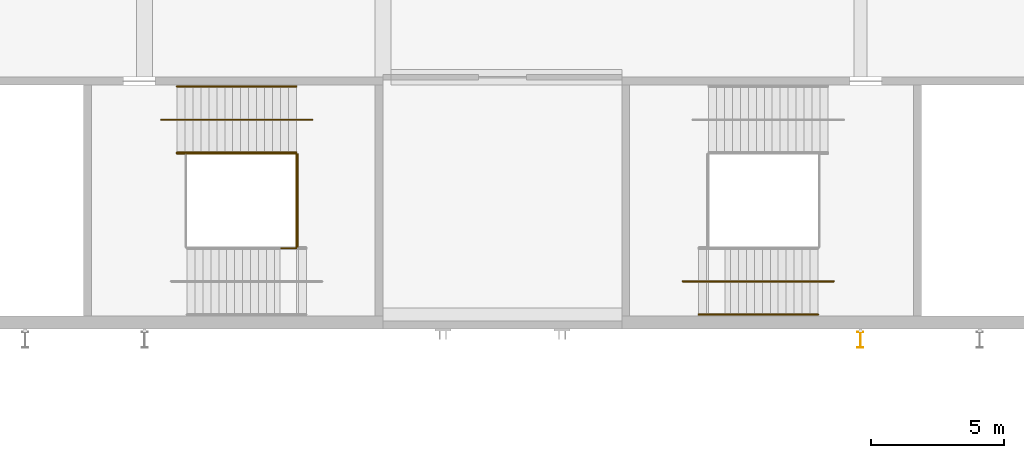
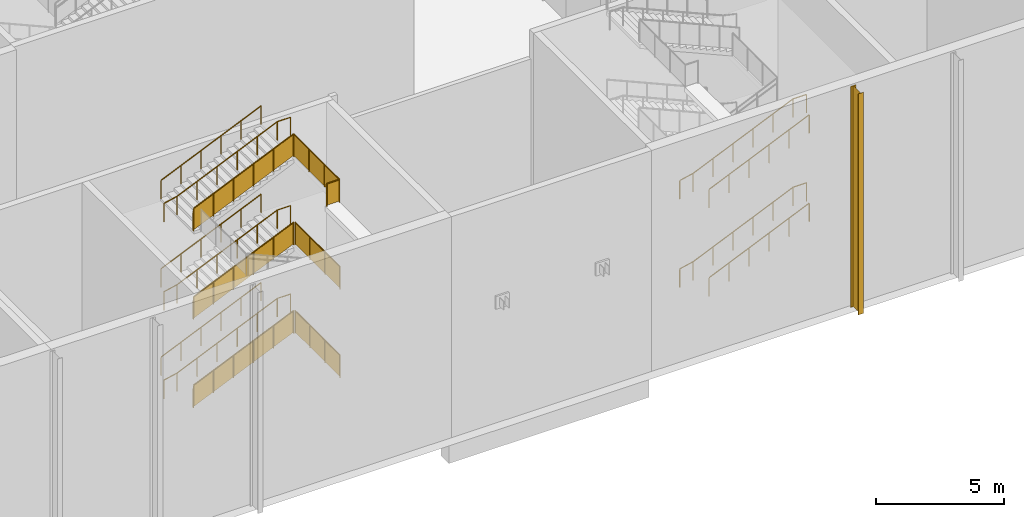
# One storey, part 157 of 182: 19 railings, 1 shading device.
"""IFC4 building model written with IfcOpenShell, lengths in metres."""

from ifc_helpers import new_model, si_unit, direction, frame, origin, origin_2d, place, context, subcontext, project, spatial, polyline, circle, i_section, outline, extrude, material, material_profile, profile_set, type_object, element, save


model = new_model("IFC4")

# Units and contexts
model_context = context("Model", 3, precision=1e-05, world=origin(), true_north=direction((0.0, 1.0)))
body_context = subcontext(model_context, "Body", "Model", "MODEL_VIEW")
ifc_project = project(units=[si_unit("LENGTHUNIT", "METRE"), si_unit("AREAUNIT", "SQUARE_METRE"), si_unit("VOLUMEUNIT", "CUBIC_METRE"), si_unit("PLANEANGLEUNIT", "RADIAN"), si_unit("MASSUNIT", "GRAM", prefix="KILO")], contexts=[model_context])

# Site, building, storey
site_placement = place(None, origin())
site = spatial("IfcSite", under=ifc_project, at=site_placement, CompositionType="ELEMENT")
building_placement = place(site_placement, origin())
building = spatial("IfcBuilding", under=site, at=building_placement, Name="Silverbay Arena", CompositionType="ELEMENT")
storey_placement = place(building_placement, frame((0.0, 0.0, 11.5)))
storey = spatial("IfcBuildingStorey", under=building, at=storey_placement, Name="L02", CompositionType="ELEMENT", Elevation=11.5)

# Railings
ifc_material_1 = material(Name="Stainless steel", Category="steel")
railing_type_1 = type_object("IfcRailingType", Name="Stair guard 1100", PredefinedType="GUARDRAIL", material=ifc_material_1)
railing_1_placement = place(storey_placement, frame((172.225830078125, 24.125, 0.13134765625)))
element("IfcRailing", 1, at=railing_1_placement, inside=storey, type_object=railing_type_1, Name="Stair ST-S4 L02 to L03 flight 1 guard right", PredefinedType="GUARDRAIL", context=body_context, shape_type="SweptSolid", body=[
    extrude(circle(Radius=0.02392578125, at=origin_2d()), frame((0.0, 0.0, 1.076171875), z_axis=(0.916157334902, 0.0, 0.40081883402), x_axis=(0.0, 1.0, 0.0)), (0.0, 0.0, 1.0), 4.911865234375),
    extrude(outline(polyline([(-0.008056640625, 0.04638671875), (0.907958984375, 0.447265625), (0.907958984375, 1.4501953125), (-0.008056640625, 1.049560546875), (-0.008056640625, 0.04638671875)])), frame((0.0, 0.0029296875, 0.0), z_axis=(0.0, -1.0, 0.0), x_axis=(1.0, 0.0, 0.0)), (0.0, 0.0, 1.0), 0.006103515625),
    extrude(outline(polyline([(-0.008056640625, 0.440185546875), (0.907958984375, 0.841064453125), (0.907958984375, 1.843994140625), (-0.008056640625, 1.443359375), (-0.008056640625, 0.440185546875)])), frame((0.89990234375, 0.0029296875, 0.0), z_axis=(0.0, -1.0, 0.0), x_axis=(1.0, 0.0, 0.0)), (0.0, 0.0, 1.0), 0.006103515625),
    extrude(outline(polyline([(-0.008056640625, 0.833984375), (0.907958984375, 1.23486328125), (0.907958984375, 2.23779296875), (-0.008056640625, 1.8369140625), (-0.008056640625, 0.833984375)])), frame((1.800048828125, 0.0029296875, 0.0), z_axis=(0.0, -1.0, 0.0), x_axis=(1.0, 0.0, 0.0)), (0.0, 0.0, 1.0), 0.006103515625),
    extrude(outline(polyline([(-0.008056640625, 1.227783203125), (0.907958984375, 1.62841796875), (0.907958984375, 2.631591796875), (-0.008056640625, 2.230712890625), (-0.008056640625, 1.227783203125)])), frame((2.699951171875, 0.0029296875, 0.0), z_axis=(0.0, -1.0, 0.0), x_axis=(1.0, 0.0, 0.0)), (0.0, 0.0, 1.0), 0.006103515625),
    extrude(outline(polyline([(-0.008056640625, 1.62158203125), (0.907958984375, 2.022216796875), (0.907958984375, 3.025146484375), (-0.008056640625, 2.62451171875), (-0.008056640625, 1.62158203125)])), frame((3.60009765625, 0.0029296875, 0.0), z_axis=(0.0, -1.0, 0.0), x_axis=(1.0, 0.0, 0.0)), (0.0, 0.0, 1.0), 0.006103515625),
    extrude(circle(Radius=0.02099609375, at=origin_2d()), origin(), (0.0, 0.0, 1.0), 1.052001953125),
    extrude(circle(Radius=0.02099609375, at=origin_2d()), frame((0.89990234375, 0.0, 0.393798828125)), (0.0, 0.0, 1.0), 1.052001953125),
    extrude(circle(Radius=0.02099609375, at=origin_2d()), frame((1.800048828125, 0.0, 0.78759765625)), (0.0, 0.0, 1.0), 1.052001953125),
    extrude(circle(Radius=0.02099609375, at=origin_2d()), frame((2.699951171875, 0.0, 1.18115234375)), (0.0, 0.0, 1.0), 1.052001953125),
    extrude(circle(Radius=0.02099609375, at=origin_2d()), frame((3.60009765625, 0.0, 1.574951171875)), (0.0, 0.0, 1.0), 1.052001953125),
    extrude(circle(Radius=0.02099609375, at=origin_2d()), frame((4.5, 0.0, 1.96875)), (0.0, 0.0, 1.0), 1.052001953125),
])
railing_2_placement = place(storey_placement, frame((172.225830078125, 24.125, 4.331298828125)))
element("IfcRailing", 2, at=railing_2_placement, inside=storey, type_object=railing_type_1, Name="Stair ST-S4 L02 to L03 flight 3 guard right", PredefinedType="GUARDRAIL", context=body_context, shape_type="SweptSolid", body=[
    extrude(circle(Radius=0.02392578125, at=origin_2d()), frame((0.0, 0.0, 1.076171875), z_axis=(0.916157334902, 0.0, 0.40081883402), x_axis=(0.0, 1.0, 0.0)), (0.0, 0.0, 1.0), 4.911865234375),
    extrude(outline(polyline([(-0.008056640625, 0.04638671875), (0.907958984375, 0.447265625), (0.907958984375, 1.4501953125), (-0.008056640625, 1.049560546875), (-0.008056640625, 0.04638671875)])), frame((0.0, 0.0029296875, 0.0), z_axis=(0.0, -1.0, 0.0), x_axis=(1.0, 0.0, 0.0)), (0.0, 0.0, 1.0), 0.006103515625),
    extrude(outline(polyline([(-0.008056640625, 0.440185546875), (0.907958984375, 0.841064453125), (0.907958984375, 1.843994140625), (-0.008056640625, 1.443359375), (-0.008056640625, 0.440185546875)])), frame((0.89990234375, 0.0029296875, 0.0), z_axis=(0.0, -1.0, 0.0), x_axis=(1.0, 0.0, 0.0)), (0.0, 0.0, 1.0), 0.006103515625),
    extrude(outline(polyline([(-0.008056640625, 0.833984375), (0.907958984375, 1.23486328125), (0.907958984375, 2.23779296875), (-0.008056640625, 1.8369140625), (-0.008056640625, 0.833984375)])), frame((1.800048828125, 0.0029296875, 0.0), z_axis=(0.0, -1.0, 0.0), x_axis=(1.0, 0.0, 0.0)), (0.0, 0.0, 1.0), 0.006103515625),
    extrude(outline(polyline([(-0.008056640625, 1.227783203125), (0.907958984375, 1.62841796875), (0.907958984375, 2.631591796875), (-0.008056640625, 2.230712890625), (-0.008056640625, 1.227783203125)])), frame((2.699951171875, 0.0029296875, 0.0), z_axis=(0.0, -1.0, 0.0), x_axis=(1.0, 0.0, 0.0)), (0.0, 0.0, 1.0), 0.006103515625),
    extrude(outline(polyline([(-0.008056640625, 1.62158203125), (0.907958984375, 2.022216796875), (0.907958984375, 3.025146484375), (-0.008056640625, 2.62451171875), (-0.008056640625, 1.62158203125)])), frame((3.60009765625, 0.0029296875, 0.0), z_axis=(0.0, -1.0, 0.0), x_axis=(1.0, 0.0, 0.0)), (0.0, 0.0, 1.0), 0.006103515625),
    extrude(circle(Radius=0.02099609375, at=origin_2d()), origin(), (0.0, 0.0, 1.0), 1.052001953125),
    extrude(circle(Radius=0.02099609375, at=origin_2d()), frame((0.89990234375, 0.0, 0.393798828125)), (0.0, 0.0, 1.0), 1.052001953125),
    extrude(circle(Radius=0.02099609375, at=origin_2d()), frame((1.800048828125, 0.0, 0.78759765625)), (0.0, 0.0, 1.0), 1.052001953125),
    extrude(circle(Radius=0.02099609375, at=origin_2d()), frame((2.699951171875, 0.0, 1.18115234375)), (0.0, 0.0, 1.0), 1.052001953125),
    extrude(circle(Radius=0.02099609375, at=origin_2d()), frame((3.60009765625, 0.0, 1.574951171875)), (0.0, 0.0, 1.0), 1.052001953125),
    extrude(circle(Radius=0.02099609375, at=origin_2d()), frame((4.5, 0.0, 1.96875)), (0.0, 0.0, 1.0), 1.052001953125),
])
railing_3_placement = place(storey_placement, frame((172.225830078125, 24.125, 8.53125)))
element("IfcRailing", 3, at=railing_3_placement, inside=storey, type_object=railing_type_1, Name="Stair ST-S4 L02 to L03 flight 5 guard right", PredefinedType="GUARDRAIL", context=body_context, shape_type="SweptSolid", body=[
    extrude(circle(Radius=0.02392578125, at=origin_2d()), frame((0.0, 0.0, 1.076171875), z_axis=(0.916157334902, 0.0, 0.40081883402), x_axis=(0.0, 1.0, 0.0)), (0.0, 0.0, 1.0), 4.911865234375),
    extrude(outline(polyline([(-0.008056640625, 0.04638671875), (0.907958984375, 0.447265625), (0.907958984375, 1.4501953125), (-0.008056640625, 1.049560546875), (-0.008056640625, 0.04638671875)])), frame((0.0, 0.0029296875, 0.0), z_axis=(0.0, -1.0, 0.0), x_axis=(1.0, 0.0, 0.0)), (0.0, 0.0, 1.0), 0.006103515625),
    extrude(outline(polyline([(-0.008056640625, 0.440185546875), (0.907958984375, 0.841064453125), (0.907958984375, 1.843994140625), (-0.008056640625, 1.443359375), (-0.008056640625, 0.440185546875)])), frame((0.89990234375, 0.0029296875, 0.0), z_axis=(0.0, -1.0, 0.0), x_axis=(1.0, 0.0, 0.0)), (0.0, 0.0, 1.0), 0.006103515625),
    extrude(outline(polyline([(-0.008056640625, 0.833984375), (0.907958984375, 1.23486328125), (0.907958984375, 2.23779296875), (-0.008056640625, 1.8369140625), (-0.008056640625, 0.833984375)])), frame((1.800048828125, 0.0029296875, 0.0), z_axis=(0.0, -1.0, 0.0), x_axis=(1.0, 0.0, 0.0)), (0.0, 0.0, 1.0), 0.006103515625),
    extrude(outline(polyline([(-0.008056640625, 1.227783203125), (0.907958984375, 1.62841796875), (0.907958984375, 2.631591796875), (-0.008056640625, 2.230712890625), (-0.008056640625, 1.227783203125)])), frame((2.699951171875, 0.0029296875, 0.0), z_axis=(0.0, -1.0, 0.0), x_axis=(1.0, 0.0, 0.0)), (0.0, 0.0, 1.0), 0.006103515625),
    extrude(outline(polyline([(-0.008056640625, 1.62158203125), (0.907958984375, 2.022216796875), (0.907958984375, 3.025146484375), (-0.008056640625, 2.62451171875), (-0.008056640625, 1.62158203125)])), frame((3.60009765625, 0.0029296875, 0.0), z_axis=(0.0, -1.0, 0.0), x_axis=(1.0, 0.0, 0.0)), (0.0, 0.0, 1.0), 0.006103515625),
    extrude(circle(Radius=0.02099609375, at=origin_2d()), origin(), (0.0, 0.0, 1.0), 1.052001953125),
    extrude(circle(Radius=0.02099609375, at=origin_2d()), frame((0.89990234375, 0.0, 0.393798828125)), (0.0, 0.0, 1.0), 1.052001953125),
    extrude(circle(Radius=0.02099609375, at=origin_2d()), frame((1.800048828125, 0.0, 0.78759765625)), (0.0, 0.0, 1.0), 1.052001953125),
    extrude(circle(Radius=0.02099609375, at=origin_2d()), frame((2.699951171875, 0.0, 1.18115234375)), (0.0, 0.0, 1.0), 1.052001953125),
    extrude(circle(Radius=0.02099609375, at=origin_2d()), frame((3.60009765625, 0.0, 1.574951171875)), (0.0, 0.0, 1.0), 1.052001953125),
    extrude(circle(Radius=0.02099609375, at=origin_2d()), frame((4.5, 0.0, 1.96875)), (0.0, 0.0, 1.0), 1.052001953125),
])
for number, where, name in (
    (4, (176.77587890625, 24.10009765625, 2.10009765625), "Stair ST-S4 L02 to L03 landing 1 guard"),
    (5, (176.77587890625, 24.10009765625, 6.300048828125), "Stair ST-S4 L02 to L03 landing 3 guard"),
):
    element("IfcRailing", number, at=place(storey_placement, frame(where)), inside=storey, type_object=railing_type_1, Name=name, PredefinedType="GUARDRAIL", context=body_context, shape_type="SweptSolid", body=[
        extrude(circle(Radius=0.02392578125, at=origin_2d()), frame((0.0, 0.0, 1.076171875), z_axis=(0.0, -1.0, 0.0), x_axis=(1.0, 0.0, 0.0)), (0.0, 0.0, 1.0), 3.5),
        extrude(outline(polyline([(-0.008056640625, 0.050048828125), (1.174560546875, 0.050048828125), (1.174560546875, 1.052978515625), (-0.008056640625, 1.052978515625), (-0.008056640625, 0.050048828125)])), frame((0.0029296875, 0.0, 0.0), z_axis=(-1.0, 0.0, 0.0), x_axis=(0.0, -1.0, 0.0)), (0.0, 0.0, 1.0), 0.006103515625),
        extrude(outline(polyline([(-0.008056640625, 0.050048828125), (1.174560546875, 0.050048828125), (1.174560546875, 1.052978515625), (-0.008056640625, 1.052978515625), (-0.008056640625, 0.050048828125)])), frame((0.0029296875, -1.166748046875, 0.0), z_axis=(-1.0, 0.0, 0.0), x_axis=(0.0, -1.0, 0.0)), (0.0, 0.0, 1.0), 0.006103515625),
        extrude(outline(polyline([(-0.008056640625, 0.050048828125), (1.174560546875, 0.050048828125), (1.174560546875, 1.052978515625), (-0.008056640625, 1.052978515625), (-0.008056640625, 0.050048828125)])), frame((0.0029296875, -2.333251953125, 0.0), z_axis=(-1.0, 0.0, 0.0), x_axis=(0.0, -1.0, 0.0)), (0.0, 0.0, 1.0), 0.006103515625),
        extrude(circle(Radius=0.02099609375, at=origin_2d()), origin(), (0.0, 0.0, 1.0), 1.052001953125),
        extrude(circle(Radius=0.02099609375, at=origin_2d()), frame((0.0, -1.166748046875, 0.0)), (0.0, 0.0, 1.0), 1.052001953125),
        extrude(circle(Radius=0.02099609375, at=origin_2d()), frame((0.0, -2.333251953125, 0.0)), (0.0, 0.0, 1.0), 1.052001953125),
        extrude(circle(Radius=0.02099609375, at=origin_2d()), frame((0.0, -3.5, 0.0)), (0.0, 0.0, 1.0), 1.052001953125),
    ])
railing_4_placement = place(storey_placement, frame((176.14990234375, 20.550048828125, 10.5)))
element("IfcRailing", 6, at=railing_4_placement, inside=storey, type_object=railing_type_1, Name="Stair ST-S4 L02 to L03 landing 5 guard", PredefinedType="GUARDRAIL", context=body_context, shape_type="SweptSolid", body=[
    extrude(circle(Radius=0.02392578125, at=origin_2d()), frame((0.0, 0.0, 1.076171875), z_axis=(1.0, 0.0, 0.0), x_axis=(0.0, 1.0, 0.0)), (0.0, 0.0, 1.0), 0.575927734375),
    extrude(outline(polyline([(-0.008056640625, 0.050048828125), (0.583984375, 0.050048828125), (0.583984375, 1.052978515625), (-0.008056640625, 1.052978515625), (-0.008056640625, 0.050048828125)])), frame((0.0, 0.0029296875, 0.0), z_axis=(0.0, -1.0, 0.0), x_axis=(1.0, 0.0, 0.0)), (0.0, 0.0, 1.0), 0.006103515625),
    extrude(circle(Radius=0.02392578125, at=origin_2d()), frame((0.575927734375, 0.0, 1.076171875), z_axis=(0.0, 1.0, 0.0), x_axis=(-1.0, 0.0, 0.0)), (0.0, 0.0, 1.0), 3.550048828125),
    extrude(outline(polyline([(-0.008056640625, 0.050048828125), (1.19140625, 0.050048828125), (1.19140625, 1.052978515625), (-0.008056640625, 1.052978515625), (-0.008056640625, 0.050048828125)])), frame((0.572998046875, 0.0, 0.0), z_axis=(1.0, 0.0, 0.0), x_axis=(0.0, 1.0, 0.0)), (0.0, 0.0, 1.0), 0.006103515625),
    extrude(outline(polyline([(-0.008056640625, 0.050048828125), (1.19140625, 0.050048828125), (1.19140625, 1.052978515625), (-0.008056640625, 1.052978515625), (-0.008056640625, 0.050048828125)])), frame((0.572998046875, 1.183349609375, 0.0), z_axis=(1.0, 0.0, 0.0), x_axis=(0.0, 1.0, 0.0)), (0.0, 0.0, 1.0), 0.006103515625),
    extrude(outline(polyline([(-0.008056640625, 0.050048828125), (1.19140625, 0.050048828125), (1.19140625, 1.052978515625), (-0.008056640625, 1.052978515625), (-0.008056640625, 0.050048828125)])), frame((0.572998046875, 2.36669921875, 0.0), z_axis=(1.0, 0.0, 0.0), x_axis=(0.0, 1.0, 0.0)), (0.0, 0.0, 1.0), 0.006103515625),
    extrude(circle(Radius=0.02099609375, at=origin_2d()), origin(), (0.0, 0.0, 1.0), 1.052001953125),
    extrude(circle(Radius=0.02099609375, at=origin_2d()), frame((0.575927734375, 0.0, 0.0)), (0.0, 0.0, 1.0), 1.052001953125),
    extrude(circle(Radius=0.02099609375, at=origin_2d()), frame((0.575927734375, 1.183349609375, 0.0)), (0.0, 0.0, 1.0), 1.052001953125),
    extrude(circle(Radius=0.02099609375, at=origin_2d()), frame((0.575927734375, 2.36669921875, 0.0)), (0.0, 0.0, 1.0), 1.052001953125),
    extrude(circle(Radius=0.02099609375, at=origin_2d()), frame((0.575927734375, 3.550048828125, 0.0)), (0.0, 0.0, 1.0), 1.052001953125),
])
ifc_material_2 = material(Name="Stainless steel", Category="steel")
railing_type_2 = type_object("IfcRailingType", Name="Stair handrail 900", PredefinedType="HANDRAIL", material=ifc_material_2)
for number, where, name in (
    (7, (172.225830078125, 26.64990234375, 0.13134765625), "Stair ST-S4 L02 to L03 flight 1 handrail left"),
    (8, (172.225830078125, 24.1640625, 0.13134765625), "Stair ST-S4 L02 to L03 flight 1 handrail right"),
):
    element("IfcRailing", number, at=place(storey_placement, frame(where)), inside=storey, type_object=railing_type_2, Name=name, PredefinedType="HANDRAIL", context=body_context, shape_type="SweptSolid", body=[
        extrude(circle(Radius=0.02392578125, at=origin_2d()), frame((0.0, 0.0, 0.8759765625), z_axis=(0.916157334902, 0.0, 0.40081883402), x_axis=(0.0, 1.0, 0.0)), (0.0, 0.0, 1.0), 4.911865234375),
        extrude(circle(Radius=0.02099609375, at=origin_2d()), origin(), (0.0, 0.0, 1.0), 0.851806640625),
        extrude(circle(Radius=0.02099609375, at=origin_2d()), frame((0.89990234375, 0.0, 0.393798828125)), (0.0, 0.0, 1.0), 0.851806640625),
        extrude(circle(Radius=0.02099609375, at=origin_2d()), frame((1.800048828125, 0.0, 0.78759765625)), (0.0, 0.0, 1.0), 0.851806640625),
        extrude(circle(Radius=0.02099609375, at=origin_2d()), frame((2.699951171875, 0.0, 1.18115234375)), (0.0, 0.0, 1.0), 0.851806640625),
        extrude(circle(Radius=0.02099609375, at=origin_2d()), frame((3.60009765625, 0.0, 1.574951171875)), (0.0, 0.0, 1.0), 0.851806640625),
        extrude(circle(Radius=0.02099609375, at=origin_2d()), frame((4.5, 0.0, 1.96875)), (0.0, 0.0, 1.0), 0.851806640625),
    ])
railing_5_placement = place(storey_placement, frame((171.625732421875, 25.39990234375, 0.0)))
element("IfcRailing", 9, at=railing_5_placement, inside=storey, type_object=railing_type_2, Name="Stair ST-S4 L02 to L03 flight 1 central handrail", PredefinedType="HANDRAIL", context=body_context, shape_type="SweptSolid", body=[
    extrude(circle(Radius=0.02392578125, at=origin_2d()), frame((0.0, 0.0, 0.8759765625), z_axis=(0.976874083041, 0.0, 0.213815401414), x_axis=(0.0, 1.0, 0.0)), (0.0, 0.0, 1.0), 0.6142578125),
    extrude(circle(Radius=0.02392578125, at=origin_2d()), frame((0.60009765625, 0.0, 1.00732421875), z_axis=(0.916157334902, 0.0, 0.40081883402), x_axis=(0.0, 1.0, 0.0)), (0.0, 0.0, 1.0), 4.911865234375),
    extrude(circle(Radius=0.02392578125, at=origin_2d()), frame((5.10009765625, 0.0, 2.97607421875), z_axis=(1.0, 0.0, 0.0), x_axis=(0.0, 1.0, 0.0)), (0.0, 0.0, 1.0), 0.599853515625),
    extrude(circle(Radius=0.02099609375, at=origin_2d()), origin(), (0.0, 0.0, 1.0), 0.851806640625),
    extrude(circle(Radius=0.02099609375, at=origin_2d()), frame((0.60009765625, 0.0, 0.13134765625)), (0.0, 0.0, 1.0), 0.851806640625),
    extrude(circle(Radius=0.02099609375, at=origin_2d()), frame((1.5, 0.0, 0.525146484375)), (0.0, 0.0, 1.0), 0.851806640625),
    extrude(circle(Radius=0.02099609375, at=origin_2d()), frame((2.400146484375, 0.0, 0.9189453125)), (0.0, 0.0, 1.0), 0.851806640625),
    extrude(circle(Radius=0.02099609375, at=origin_2d()), frame((3.300048828125, 0.0, 1.3125)), (0.0, 0.0, 1.0), 0.851806640625),
    extrude(circle(Radius=0.02099609375, at=origin_2d()), frame((4.2001953125, 0.0, 1.706298828125)), (0.0, 0.0, 1.0), 0.851806640625),
    extrude(circle(Radius=0.02099609375, at=origin_2d()), frame((5.10009765625, 0.0, 2.10009765625)), (0.0, 0.0, 1.0), 0.851806640625),
    extrude(circle(Radius=0.02099609375, at=origin_2d()), frame((5.699951171875, 0.0, 2.10009765625)), (0.0, 0.0, 1.0), 0.851806640625),
])
for number, where, name in (
    (10, (172.225830078125, 26.64990234375, 4.331298828125), "Stair ST-S4 L02 to L03 flight 3 handrail left"),
    (11, (172.225830078125, 24.1640625, 4.331298828125), "Stair ST-S4 L02 to L03 flight 3 handrail right"),
):
    element("IfcRailing", number, at=place(storey_placement, frame(where)), inside=storey, type_object=railing_type_2, Name=name, PredefinedType="HANDRAIL", context=body_context, shape_type="SweptSolid", body=[
        extrude(circle(Radius=0.02392578125, at=origin_2d()), frame((0.0, 0.0, 0.8759765625), z_axis=(0.916157334902, 0.0, 0.40081883402), x_axis=(0.0, 1.0, 0.0)), (0.0, 0.0, 1.0), 4.911865234375),
        extrude(circle(Radius=0.02099609375, at=origin_2d()), origin(), (0.0, 0.0, 1.0), 0.851806640625),
        extrude(circle(Radius=0.02099609375, at=origin_2d()), frame((0.89990234375, 0.0, 0.393798828125)), (0.0, 0.0, 1.0), 0.851806640625),
        extrude(circle(Radius=0.02099609375, at=origin_2d()), frame((1.800048828125, 0.0, 0.78759765625)), (0.0, 0.0, 1.0), 0.851806640625),
        extrude(circle(Radius=0.02099609375, at=origin_2d()), frame((2.699951171875, 0.0, 1.18115234375)), (0.0, 0.0, 1.0), 0.851806640625),
        extrude(circle(Radius=0.02099609375, at=origin_2d()), frame((3.60009765625, 0.0, 1.574951171875)), (0.0, 0.0, 1.0), 0.851806640625),
        extrude(circle(Radius=0.02099609375, at=origin_2d()), frame((4.5, 0.0, 1.96875)), (0.0, 0.0, 1.0), 0.851806640625),
    ])
railing_6_placement = place(storey_placement, frame((171.625732421875, 25.39990234375, 4.199951171875)))
element("IfcRailing", 12, at=railing_6_placement, inside=storey, type_object=railing_type_2, Name="Stair ST-S4 L02 to L03 flight 3 central handrail", PredefinedType="HANDRAIL", context=body_context, shape_type="SweptSolid", body=[
    extrude(circle(Radius=0.02392578125, at=origin_2d()), frame((0.0, 0.0, 0.8759765625), z_axis=(0.976874083041, 0.0, 0.213815401414), x_axis=(0.0, 1.0, 0.0)), (0.0, 0.0, 1.0), 0.6142578125),
    extrude(circle(Radius=0.02392578125, at=origin_2d()), frame((0.60009765625, 0.0, 1.00732421875), z_axis=(0.916157334902, 0.0, 0.40081883402), x_axis=(0.0, 1.0, 0.0)), (0.0, 0.0, 1.0), 4.911865234375),
    extrude(circle(Radius=0.02392578125, at=origin_2d()), frame((5.10009765625, 0.0, 2.97607421875), z_axis=(1.0, 0.0, 0.0), x_axis=(0.0, 1.0, 0.0)), (0.0, 0.0, 1.0), 0.599853515625),
    extrude(circle(Radius=0.02099609375, at=origin_2d()), origin(), (0.0, 0.0, 1.0), 0.851806640625),
    extrude(circle(Radius=0.02099609375, at=origin_2d()), frame((0.60009765625, 0.0, 0.13134765625)), (0.0, 0.0, 1.0), 0.851806640625),
    extrude(circle(Radius=0.02099609375, at=origin_2d()), frame((1.5, 0.0, 0.525146484375)), (0.0, 0.0, 1.0), 0.851806640625),
    extrude(circle(Radius=0.02099609375, at=origin_2d()), frame((2.400146484375, 0.0, 0.9189453125)), (0.0, 0.0, 1.0), 0.851806640625),
    extrude(circle(Radius=0.02099609375, at=origin_2d()), frame((3.300048828125, 0.0, 1.3125)), (0.0, 0.0, 1.0), 0.851806640625),
    extrude(circle(Radius=0.02099609375, at=origin_2d()), frame((4.2001953125, 0.0, 1.706298828125)), (0.0, 0.0, 1.0), 0.851806640625),
    extrude(circle(Radius=0.02099609375, at=origin_2d()), frame((5.10009765625, 0.0, 2.10009765625)), (0.0, 0.0, 1.0), 0.851806640625),
    extrude(circle(Radius=0.02099609375, at=origin_2d()), frame((5.699951171875, 0.0, 2.10009765625)), (0.0, 0.0, 1.0), 0.851806640625),
])
for number, where, name in (
    (13, (172.225830078125, 26.64990234375, 8.53125), "Stair ST-S4 L02 to L03 flight 5 handrail left"),
    (14, (172.225830078125, 24.1640625, 8.53125), "Stair ST-S4 L02 to L03 flight 5 handrail right"),
):
    element("IfcRailing", number, at=place(storey_placement, frame(where)), inside=storey, type_object=railing_type_2, Name=name, PredefinedType="HANDRAIL", context=body_context, shape_type="SweptSolid", body=[
        extrude(circle(Radius=0.02392578125, at=origin_2d()), frame((0.0, 0.0, 0.8759765625), z_axis=(0.916157334902, 0.0, 0.40081883402), x_axis=(0.0, 1.0, 0.0)), (0.0, 0.0, 1.0), 4.911865234375),
        extrude(circle(Radius=0.02099609375, at=origin_2d()), origin(), (0.0, 0.0, 1.0), 0.851806640625),
        extrude(circle(Radius=0.02099609375, at=origin_2d()), frame((0.89990234375, 0.0, 0.393798828125)), (0.0, 0.0, 1.0), 0.851806640625),
        extrude(circle(Radius=0.02099609375, at=origin_2d()), frame((1.800048828125, 0.0, 0.78759765625)), (0.0, 0.0, 1.0), 0.851806640625),
        extrude(circle(Radius=0.02099609375, at=origin_2d()), frame((2.699951171875, 0.0, 1.18115234375)), (0.0, 0.0, 1.0), 0.851806640625),
        extrude(circle(Radius=0.02099609375, at=origin_2d()), frame((3.60009765625, 0.0, 1.574951171875)), (0.0, 0.0, 1.0), 0.851806640625),
        extrude(circle(Radius=0.02099609375, at=origin_2d()), frame((4.5, 0.0, 1.96875)), (0.0, 0.0, 1.0), 0.851806640625),
    ])
railing_7_placement = place(storey_placement, frame((171.625732421875, 25.39990234375, 8.39990234375)))
element("IfcRailing", 15, at=railing_7_placement, inside=storey, type_object=railing_type_2, Name="Stair ST-S4 L02 to L03 flight 5 central handrail", PredefinedType="HANDRAIL", context=body_context, shape_type="SweptSolid", body=[
    extrude(circle(Radius=0.02392578125, at=origin_2d()), frame((0.0, 0.0, 0.8759765625), z_axis=(0.976874083041, 0.0, 0.213815401414), x_axis=(0.0, 1.0, 0.0)), (0.0, 0.0, 1.0), 0.6142578125),
    extrude(circle(Radius=0.02392578125, at=origin_2d()), frame((0.60009765625, 0.0, 1.00732421875), z_axis=(0.916157334902, 0.0, 0.40081883402), x_axis=(0.0, 1.0, 0.0)), (0.0, 0.0, 1.0), 4.911865234375),
    extrude(circle(Radius=0.02392578125, at=origin_2d()), frame((5.10009765625, 0.0, 2.97607421875), z_axis=(1.0, 0.0, 0.0), x_axis=(0.0, 1.0, 0.0)), (0.0, 0.0, 1.0), 0.599853515625),
    extrude(circle(Radius=0.02099609375, at=origin_2d()), origin(), (0.0, 0.0, 1.0), 0.851806640625),
    extrude(circle(Radius=0.02099609375, at=origin_2d()), frame((0.60009765625, 0.0, 0.13134765625)), (0.0, 0.0, 1.0), 0.851806640625),
    extrude(circle(Radius=0.02099609375, at=origin_2d()), frame((1.5, 0.0, 0.525146484375)), (0.0, 0.0, 1.0), 0.851806640625),
    extrude(circle(Radius=0.02099609375, at=origin_2d()), frame((2.400146484375, 0.0, 0.9189453125)), (0.0, 0.0, 1.0), 0.851806640625),
    extrude(circle(Radius=0.02099609375, at=origin_2d()), frame((3.300048828125, 0.0, 1.3125)), (0.0, 0.0, 1.0), 0.851806640625),
    extrude(circle(Radius=0.02099609375, at=origin_2d()), frame((4.2001953125, 0.0, 1.706298828125)), (0.0, 0.0, 1.0), 0.851806640625),
    extrude(circle(Radius=0.02099609375, at=origin_2d()), frame((5.10009765625, 0.0, 2.10009765625)), (0.0, 0.0, 1.0), 0.851806640625),
    extrude(circle(Radius=0.02099609375, at=origin_2d()), frame((5.699951171875, 0.0, 2.10009765625)), (0.0, 0.0, 1.0), 0.851806640625),
])
railing_8_placement = place(storey_placement, frame((191.89990234375, 18.050048828125, 2.231201171875)))
element("IfcRailing", 16, at=railing_8_placement, inside=storey, type_object=railing_type_2, Name="Stair ST-S6 L02 to L03 flight 2 handrail right", PredefinedType="HANDRAIL", context=body_context, shape_type="SweptSolid", body=[
    extrude(circle(Radius=0.02392578125, at=origin_2d()), frame((0.0, 0.0, 0.8759765625), z_axis=(0.916157334902, 0.0, 0.40081883402), x_axis=(0.0, 1.0, 0.0)), (0.0, 0.0, 1.0), 4.911865234375),
    extrude(circle(Radius=0.02099609375, at=origin_2d()), origin(), (0.0, 0.0, 1.0), 0.851806640625),
    extrude(circle(Radius=0.02099609375, at=origin_2d()), frame((0.89990234375, 0.0, 0.393798828125)), (0.0, 0.0, 1.0), 0.851806640625),
    extrude(circle(Radius=0.02099609375, at=origin_2d()), frame((1.800048828125, 0.0, 0.78759765625)), (0.0, 0.0, 1.0), 0.851806640625),
    extrude(circle(Radius=0.02099609375, at=origin_2d()), frame((2.699951171875, 0.0, 1.18115234375)), (0.0, 0.0, 1.0), 0.851806640625),
    extrude(circle(Radius=0.02099609375, at=origin_2d()), frame((3.60009765625, 0.0, 1.574951171875)), (0.0, 0.0, 1.0), 0.851806640625),
    extrude(circle(Radius=0.02099609375, at=origin_2d()), frame((4.5, 0.0, 1.96875)), (0.0, 0.0, 1.0), 0.851806640625),
])
railing_9_placement = place(storey_placement, frame((191.300048828125, 19.300048828125, 2.10009765625)))
element("IfcRailing", 17, at=railing_9_placement, inside=storey, type_object=railing_type_2, Name="Stair ST-S6 L02 to L03 flight 2 central handrail", PredefinedType="HANDRAIL", context=body_context, shape_type="SweptSolid", body=[
    extrude(circle(Radius=0.02392578125, at=origin_2d()), frame((0.0, 0.0, 0.8759765625), z_axis=(0.976938910361, 0.0, 0.213519004829), x_axis=(0.0, 1.0, 0.0)), (0.0, 0.0, 1.0), 0.614013671875),
    extrude(circle(Radius=0.02392578125, at=origin_2d()), frame((0.599853515625, 0.0, 1.0068359375), z_axis=(0.916157334902, 0.0, 0.40081883402), x_axis=(0.0, 1.0, 0.0)), (0.0, 0.0, 1.0), 4.911865234375),
    extrude(circle(Radius=0.02392578125, at=origin_2d()), frame((5.099853515625, 0.0, 2.9755859375), z_axis=(1.0, 0.0, 0.0), x_axis=(0.0, 1.0, 0.0)), (0.0, 0.0, 1.0), 0.60009765625),
    extrude(circle(Radius=0.02099609375, at=origin_2d()), origin(), (0.0, 0.0, 1.0), 0.851806640625),
    extrude(circle(Radius=0.02099609375, at=origin_2d()), frame((0.599853515625, 0.0, 0.131103515625)), (0.0, 0.0, 1.0), 0.851806640625),
    extrude(circle(Radius=0.02099609375, at=origin_2d()), frame((1.499755859375, 0.0, 0.52490234375)), (0.0, 0.0, 1.0), 0.851806640625),
    extrude(circle(Radius=0.02099609375, at=origin_2d()), frame((2.39990234375, 0.0, 0.918701171875)), (0.0, 0.0, 1.0), 0.851806640625),
    extrude(circle(Radius=0.02099609375, at=origin_2d()), frame((3.2998046875, 0.0, 1.312255859375)), (0.0, 0.0, 1.0), 0.851806640625),
    extrude(circle(Radius=0.02099609375, at=origin_2d()), frame((4.199951171875, 0.0, 1.7060546875)), (0.0, 0.0, 1.0), 0.851806640625),
    extrude(circle(Radius=0.02099609375, at=origin_2d()), frame((5.099853515625, 0.0, 2.099853515625)), (0.0, 0.0, 1.0), 0.851806640625),
    extrude(circle(Radius=0.02099609375, at=origin_2d()), frame((5.699951171875, 0.0, 2.099853515625)), (0.0, 0.0, 1.0), 0.851806640625),
])
railing_10_placement = place(storey_placement, frame((191.89990234375, 18.050048828125, 6.43115234375)))
element("IfcRailing", 18, at=railing_10_placement, inside=storey, type_object=railing_type_2, Name="Stair ST-S6 L02 to L03 flight 4 handrail right", PredefinedType="HANDRAIL", context=body_context, shape_type="SweptSolid", body=[
    extrude(circle(Radius=0.02392578125, at=origin_2d()), frame((0.0, 0.0, 0.8759765625), z_axis=(0.916157334902, 0.0, 0.40081883402), x_axis=(0.0, 1.0, 0.0)), (0.0, 0.0, 1.0), 4.911865234375),
    extrude(circle(Radius=0.02099609375, at=origin_2d()), origin(), (0.0, 0.0, 1.0), 0.851806640625),
    extrude(circle(Radius=0.02099609375, at=origin_2d()), frame((0.89990234375, 0.0, 0.393798828125)), (0.0, 0.0, 1.0), 0.851806640625),
    extrude(circle(Radius=0.02099609375, at=origin_2d()), frame((1.800048828125, 0.0, 0.78759765625)), (0.0, 0.0, 1.0), 0.851806640625),
    extrude(circle(Radius=0.02099609375, at=origin_2d()), frame((2.699951171875, 0.0, 1.18115234375)), (0.0, 0.0, 1.0), 0.851806640625),
    extrude(circle(Radius=0.02099609375, at=origin_2d()), frame((3.60009765625, 0.0, 1.574951171875)), (0.0, 0.0, 1.0), 0.851806640625),
    extrude(circle(Radius=0.02099609375, at=origin_2d()), frame((4.5, 0.0, 1.96875)), (0.0, 0.0, 1.0), 0.851806640625),
])
railing_11_placement = place(storey_placement, frame((191.300048828125, 19.300048828125, 6.300048828125)))
element("IfcRailing", 19, at=railing_11_placement, inside=storey, type_object=railing_type_2, Name="Stair ST-S6 L02 to L03 flight 4 central handrail", PredefinedType="HANDRAIL", context=body_context, shape_type="SweptSolid", body=[
    extrude(circle(Radius=0.02392578125, at=origin_2d()), frame((0.0, 0.0, 0.8759765625), z_axis=(0.976938910361, 0.0, 0.213519004829), x_axis=(0.0, 1.0, 0.0)), (0.0, 0.0, 1.0), 0.614013671875),
    extrude(circle(Radius=0.02392578125, at=origin_2d()), frame((0.599853515625, 0.0, 1.0068359375), z_axis=(0.916157334902, 0.0, 0.40081883402), x_axis=(0.0, 1.0, 0.0)), (0.0, 0.0, 1.0), 4.911865234375),
    extrude(circle(Radius=0.02392578125, at=origin_2d()), frame((5.099853515625, 0.0, 2.9755859375), z_axis=(1.0, 0.0, 0.0), x_axis=(0.0, 1.0, 0.0)), (0.0, 0.0, 1.0), 0.60009765625),
    extrude(circle(Radius=0.02099609375, at=origin_2d()), origin(), (0.0, 0.0, 1.0), 0.851806640625),
    extrude(circle(Radius=0.02099609375, at=origin_2d()), frame((0.599853515625, 0.0, 0.131103515625)), (0.0, 0.0, 1.0), 0.851806640625),
    extrude(circle(Radius=0.02099609375, at=origin_2d()), frame((1.499755859375, 0.0, 0.52490234375)), (0.0, 0.0, 1.0), 0.851806640625),
    extrude(circle(Radius=0.02099609375, at=origin_2d()), frame((2.39990234375, 0.0, 0.918701171875)), (0.0, 0.0, 1.0), 0.851806640625),
    extrude(circle(Radius=0.02099609375, at=origin_2d()), frame((3.2998046875, 0.0, 1.312255859375)), (0.0, 0.0, 1.0), 0.851806640625),
    extrude(circle(Radius=0.02099609375, at=origin_2d()), frame((4.199951171875, 0.0, 1.7060546875)), (0.0, 0.0, 1.0), 0.851806640625),
    extrude(circle(Radius=0.02099609375, at=origin_2d()), frame((5.099853515625, 0.0, 2.099853515625)), (0.0, 0.0, 1.0), 0.851806640625),
    extrude(circle(Radius=0.02099609375, at=origin_2d()), frame((5.699951171875, 0.0, 2.099853515625)), (0.0, 0.0, 1.0), 0.851806640625),
])

# Shading device
ifc_material_3 = material(Name="Steel S355", Category="steel")
ifc_material_profile = material_profile(ifc_material_3, i_section(OverallWidth=0.2275390625, OverallDepth=0.6025390625, WebThickness=0.010498046875, FlangeThickness=0.014892578125, at=origin_2d()), Name="UB 610x229x101")
ifc_profile_set = profile_set([ifc_material_profile], Name="Steel S355")
shading_device_type = type_object("IfcShadingDeviceType", Name="Steel fin UB 610x229x101", PredefinedType="USERDEFINED", material=ifc_profile_set)
shading_device_placement = place(storey_placement, frame((198.0, 17.0986328125, 0.0), z_axis=(0.0, 0.0, 1.0), x_axis=(1.0, 0.0, 0.0)))
element("IfcShadingDevice", 20, at=shading_device_placement, inside=storey, type_object=shading_device_type, Name="Steel fin S L02 32", ObjectType="FIN", PredefinedType="USERDEFINED", context=body_context, shape_type="SweptSolid", body=[
    extrude(i_section(OverallWidth=0.2275390625, OverallDepth=0.6025390625, WebThickness=0.010498046875, FlangeThickness=0.014892578125, at=origin_2d()), origin(), (0.0, 0.0, 1.0), 10.5),
])

save(model, "model.ifc")
